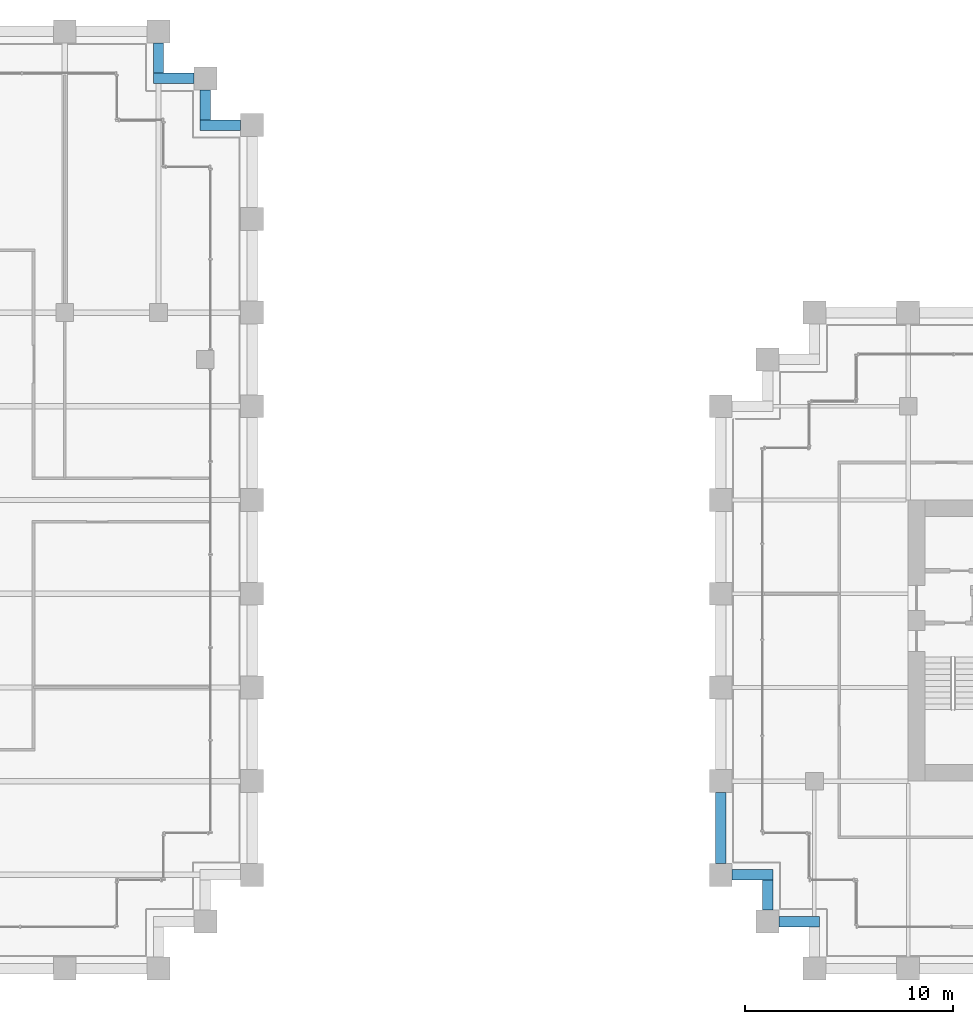
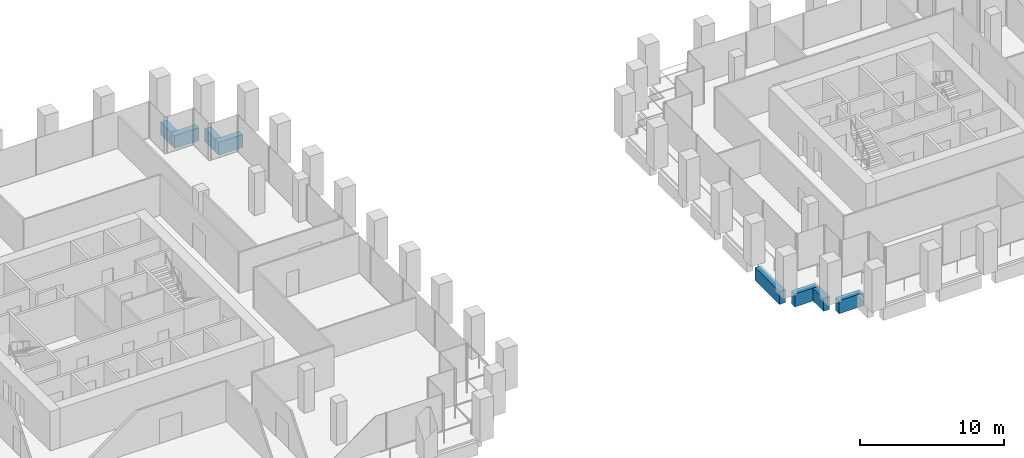
# One storey, part 33 of 54: 8 beams.
"""IFC4 building model written with IfcOpenShell, lengths in metres."""

from ifc_helpers import new_model, si_unit, direction, frame, origin, origin_2d, place, context, subcontext, project, spatial, rectangle, extrude, material, material_profile, profile_set, type_object, element, save


model = new_model("IFC4")

# Units and contexts
model_context = context("Model", 3, precision=1e-05, world=origin(), true_north=direction((0.0, 1.0)))
body_context = subcontext(model_context, "Body", "Model", "MODEL_VIEW")
ifc_project = project(units=[si_unit("LENGTHUNIT", "METRE"), si_unit("AREAUNIT", "SQUARE_METRE"), si_unit("VOLUMEUNIT", "CUBIC_METRE"), si_unit("PLANEANGLEUNIT", "RADIAN"), si_unit("MASSUNIT", "GRAM", prefix="KILO")], contexts=[model_context])

# Site, building, storey
site_placement = place(None, origin())
site = spatial("IfcSite", under=ifc_project, at=site_placement, CompositionType="ELEMENT")
building_placement = place(site_placement, origin())
building = spatial("IfcBuilding", under=site, at=building_placement, Name="Altepetl Exchange Towers", CompositionType="ELEMENT")
storey_placement = place(building_placement, frame((0.0, 0.0, 61.800048828125)))
storey = spatial("IfcBuildingStorey", under=building, at=storey_placement, Name="L14", CompositionType="ELEMENT", Elevation=61.800048828125)

# Beams
ifc_material_1 = material(Name="Concrete C50/60 precast with cantera rosa facing", Category="concrete")
ifc_material_profile_1 = material_profile(ifc_material_1, rectangle(XDim=0.5, YDim=1.10009765625, at=origin_2d()), Name="500 x 1100")
ifc_profile_set_1 = profile_set([ifc_material_profile_1], Name="Concrete C50/60 precast with cantera rosa facing")
beam_type_1 = type_object("IfcBeamType", Name="Spandrel beam 500x1100 cantera rosa", PredefinedType="SPANDREL", material=ifc_profile_set_1)
beam_1_placement = place(storey_placement, frame((71.449951171875, 67.5, -0.699951171875), z_axis=(-1.0, 0.0, 0.0), x_axis=(0.0, -1.0, 0.0)))
element("IfcBeam", 1, at=beam_1_placement, inside=storey, type_object=beam_type_1, Name="sp:A:L14:020", PredefinedType="SPANDREL", context=body_context, shape_type="SweptSolid", body=[
    extrude(rectangle(XDim=0.5, YDim=1.10009765625, at=origin_2d()), origin(), (0.0, 0.0, 1.0), 1.949951171875),
])
beam_2_placement = place(storey_placement, frame((69.75, 67.75, -0.699951171875), z_axis=(0.0, 1.0, 0.0), x_axis=(-1.0, 0.0, 0.0)))
element("IfcBeam", 2, at=beam_2_placement, inside=storey, type_object=beam_type_1, Name="sp:A:L14:021", PredefinedType="SPANDREL", context=body_context, shape_type="SweptSolid", body=[
    extrude(rectangle(XDim=0.5, YDim=1.10009765625, at=origin_2d()), origin(), (0.0, 0.0, 1.0), 1.449951171875),
])
beam_3_placement = place(storey_placement, frame((69.199951171875, 69.75, -0.699951171875), z_axis=(-1.0, 0.0, 0.0), x_axis=(0.0, -1.0, 0.0)))
element("IfcBeam", 3, at=beam_3_placement, inside=storey, type_object=beam_type_1, Name="sp:A:L14:022", PredefinedType="SPANDREL", context=body_context, shape_type="SweptSolid", body=[
    extrude(rectangle(XDim=0.5, YDim=1.10009765625, at=origin_2d()), origin(), (0.0, 0.0, 1.0), 1.949951171875),
])
beam_4_placement = place(storey_placement, frame((67.5, 70.0, -0.699951171875), z_axis=(0.0, 1.0, 0.0), x_axis=(-1.0, 0.0, 0.0)))
element("IfcBeam", 4, at=beam_4_placement, inside=storey, type_object=beam_type_1, Name="sp:A:L14:023", PredefinedType="SPANDREL", context=body_context, shape_type="SweptSolid", body=[
    extrude(rectangle(XDim=0.5, YDim=1.10009765625, at=origin_2d()), origin(), (0.0, 0.0, 1.0), 1.449951171875),
])
ifc_material_2 = material(Name="Concrete C50/60 precast with tezontle facing", Category="concrete")
ifc_material_profile_2 = material_profile(ifc_material_2, rectangle(XDim=0.5, YDim=1.10009765625, at=origin_2d()), Name="500 x 1100")
ifc_profile_set_2 = profile_set([ifc_material_profile_2], Name="Concrete C50/60 precast with tezontle facing")
beam_type_2 = type_object("IfcBeamType", Name="Spandrel beam 500x1100 tezontle", PredefinedType="SPANDREL", material=ifc_profile_set_2)
beam_5_placement = place(storey_placement, frame((94.5, 35.449951171875, -0.699951171875), z_axis=(0.0, -1.0, 0.0), x_axis=(1.0, 0.0, 0.0)))
element("IfcBeam", 5, at=beam_5_placement, inside=storey, type_object=beam_type_2, Name="sp:B:L14:031", PredefinedType="SPANDREL", context=body_context, shape_type="SweptSolid", body=[
    extrude(rectangle(XDim=0.5, YDim=1.10009765625, at=origin_2d()), origin(), (0.0, 0.0, 1.0), 3.39990234375),
])
beam_6_placement = place(storey_placement, frame((95.050048828125, 31.5, -0.699951171875), z_axis=(1.0, 0.0, 0.0), x_axis=(0.0, 1.0, 0.0)))
element("IfcBeam", 6, at=beam_6_placement, inside=storey, type_object=beam_type_2, Name="sp:B:L14:032", PredefinedType="SPANDREL", context=body_context, shape_type="SweptSolid", body=[
    extrude(rectangle(XDim=0.5, YDim=1.10009765625, at=origin_2d()), origin(), (0.0, 0.0, 1.0), 1.949951171875),
])
beam_7_placement = place(storey_placement, frame((96.75, 31.25, -0.699951171875), z_axis=(0.0, -1.0, 0.0), x_axis=(1.0, 0.0, 0.0)))
element("IfcBeam", 7, at=beam_7_placement, inside=storey, type_object=beam_type_2, Name="sp:B:L14:033", PredefinedType="SPANDREL", context=body_context, shape_type="SweptSolid", body=[
    extrude(rectangle(XDim=0.5, YDim=1.10009765625, at=origin_2d()), origin(), (0.0, 0.0, 1.0), 1.449951171875),
])
beam_8_placement = place(storey_placement, frame((97.300048828125, 29.25, -0.699951171875), z_axis=(1.0, 0.0, 0.0), x_axis=(0.0, 1.0, 0.0)))
element("IfcBeam", 8, at=beam_8_placement, inside=storey, type_object=beam_type_2, Name="sp:B:L14:034", PredefinedType="SPANDREL", context=body_context, shape_type="SweptSolid", body=[
    extrude(rectangle(XDim=0.5, YDim=1.10009765625, at=origin_2d()), origin(), (0.0, 0.0, 1.0), 1.949951171875),
])

save(model, "model.ifc")
